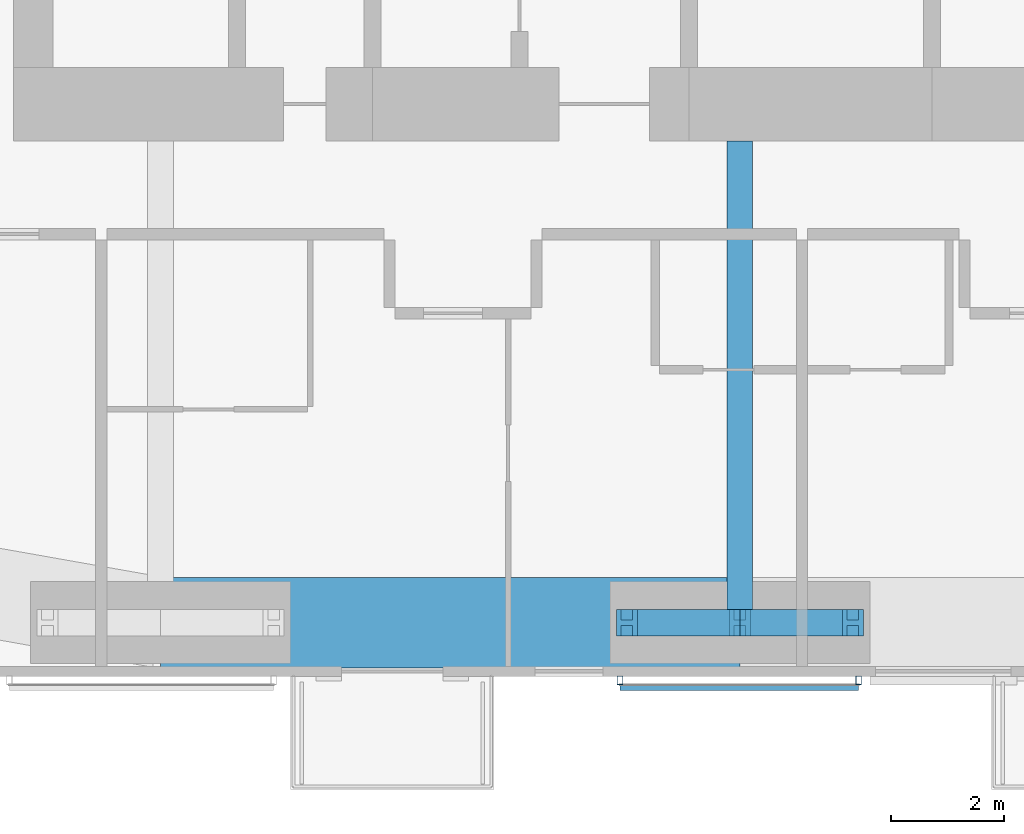
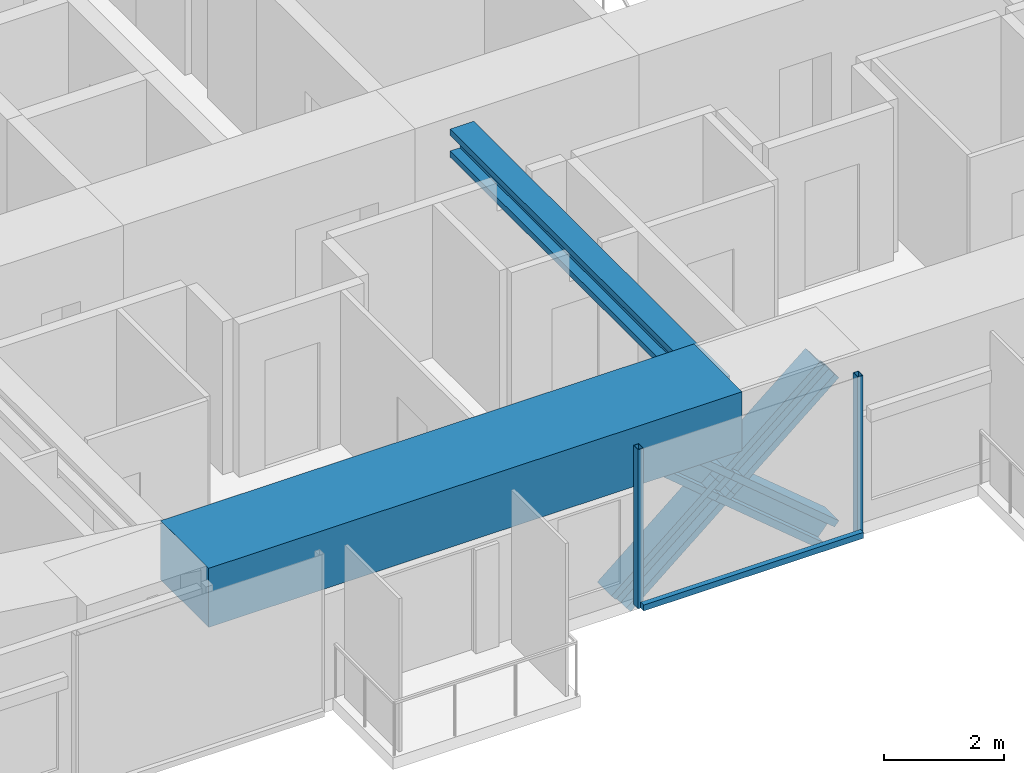
# One storey, part 3 of 23: 7 members, 2 beams, 1 element without a shape of its own.
"""IFC4 building model written with IfcOpenShell, lengths in metres."""

from ifc_helpers import new_model, si_unit, direction, frame, origin, origin_2d, place, context, subcontext, project, spatial, rectangle, hollow_rectangle, i_section, extrude, material, material_profile, profile_set, type_object, element, aggregate, save


model = new_model("IFC4")

# Units and contexts
model_context = context("Model", 3, precision=1e-05, world=origin(), true_north=direction((0.0, 1.0)))
body_context = subcontext(model_context, "Body", "Model", "MODEL_VIEW")
ifc_project = project(units=[si_unit("LENGTHUNIT", "METRE"), si_unit("AREAUNIT", "SQUARE_METRE"), si_unit("VOLUMEUNIT", "CUBIC_METRE"), si_unit("PLANEANGLEUNIT", "RADIAN"), si_unit("MASSUNIT", "GRAM", prefix="KILO")], contexts=[model_context])

# Site, building, storey
site_placement = place(None, origin())
site = spatial("IfcSite", under=ifc_project, at=site_placement, CompositionType="ELEMENT")
building_placement = place(site_placement, origin())
building = spatial("IfcBuilding", under=site, at=building_placement, Name="Jalousie Tower", CompositionType="ELEMENT")
storey_placement = place(building_placement, frame((0.0, 0.0, 167.75)))
storey = spatial("IfcBuildingStorey", under=building, at=storey_placement, Name="L45", CompositionType="ELEMENT", Elevation=167.75)

# Beam
ifc_material_1 = material(Name="Steel ASTM A992 Grade 50", Category="steel")
ifc_material_profile_1 = material_profile(ifc_material_1, i_section(OverallWidth=0.45458984375, OverallDepth=0.569091796875, WebThickness=0.077880859375, FlangeThickness=0.124755859375, at=origin_2d()), Name="W14X730")
ifc_profile_set_1 = profile_set([ifc_material_profile_1], Name="Steel ASTM A992 Grade 50")
beam_type_1 = type_object("IfcBeamType", Name="LEAN COLLECTOR W14X730", PredefinedType="BEAM", material=ifc_profile_set_1)
beam_1_placement = place(storey_placement, frame((32.5, 0.949951171875, 2.825439453125), z_axis=(0.0, 1.0, 0.0), x_axis=(-1.0, 0.0, 0.0)))
element("IfcBeam", 1, at=beam_1_placement, inside=storey, type_object=beam_type_1, Name="Lean collector under L46", PredefinedType="BEAM", context=body_context, shape_type="SweptSolid", body=[
    extrude(i_section(OverallWidth=0.45458984375, OverallDepth=0.569091796875, WebThickness=0.077880859375, FlangeThickness=0.124755859375, at=origin_2d()), origin(), (0.0, 0.0, 1.0), 8.525146484375),
])

# Members
ifc_material_2 = material(Name="Steel ASTM A992 Grade 50", Category="steel")
ifc_material_profile_2 = material_profile(ifc_material_2, i_section(OverallWidth=0.472412109375, OverallDepth=0.5791015625, WebThickness=0.094970703125, FlangeThickness=0.1298828125, at=origin_2d()), Name="W14X808")
ifc_profile_set_2 = profile_set([ifc_material_profile_2], Name="Steel ASTM A992 Grade 50")
member_type_1 = type_object("IfcMemberType", Name="PERIMETER BRACE W14X808", PredefinedType="BRACE", material=ifc_profile_set_2)
for number, where, z_axis, x_axis, name in (
    (2, (30.5, 0.949951171875, -0.60009765625), (0.766638753323, 0.0, 0.642078672674), (0.0, 1.0, 0.0), "Perimeter brace 03 L45 part 1"),
    (3, (32.5, 0.949951171875, 1.074951171875), (0.766638753323, 0.0, 0.642078672674), (0.0, 1.0, 0.0), "Perimeter brace 03 L45 part 2"),
    (4, (34.5, 0.949951171875, -0.60009765625), (-0.766638753323, 0.0, 0.642078672674), (0.0, -1.0, 0.0), "Perimeter brace 03 L45 part 3"),
    (5, (32.5, 0.949951171875, 1.074951171875), (-0.766638753323, 0.0, 0.642078672674), (0.0, -1.0, 0.0), "Perimeter brace 03 L45 part 4"),
):
    element("IfcMember", number, at=place(storey_placement, frame(where, z_axis=z_axis, x_axis=x_axis)), inside=storey, type_object=member_type_1, Name=name, PredefinedType="BRACE", context=body_context, shape_type="SweptSolid", body=[
        extrude(i_section(OverallWidth=0.472412109375, OverallDepth=0.5791015625, WebThickness=0.094970703125, FlangeThickness=0.1298828125, at=origin_2d()), origin(), (0.0, 0.0, 1.0), 2.60888671875),
    ])

# Beam
ifc_material_3 = material(Name="Concrete f'c 40 MPa", Category="concrete")
ifc_material_profile_3 = material_profile(ifc_material_3, rectangle(XDim=1.60009765625, YDim=1.199951171875, at=origin_2d()), Name="RC 1600x1200")
ifc_profile_set_3 = profile_set([ifc_material_profile_3], Name="Concrete f'c 40 MPa")
beam_type_2 = type_object("IfcBeamType", Name="RC BEAM 1600x1200", PredefinedType="BEAM", material=ifc_profile_set_3)
beam_2_placement = place(storey_placement, frame((22.25, 0.949951171875, 2.75), z_axis=(1.0, 0.0, 0.0), x_axis=(0.0, 1.0, 0.0)))
element("IfcBeam", 6, at=beam_2_placement, inside=storey, type_object=beam_type_2, Name="Edge band beam 02-03 under L46", PredefinedType="BEAM", context=body_context, shape_type="SweptSolid", body=[
    extrude(rectangle(XDim=1.60009765625, YDim=1.199951171875, at=origin_2d()), origin(), (0.0, 0.0, 1.0), 10.25),
])

# Curtain wall, members
ifc_material_4 = material(Name="Perforated aluminium sheet", Category="aluminium")
curtain_wall_type = type_object("IfcCurtainWallType", Name="SOLAR SCREEN SS-1", PredefinedType="USERDEFINED", material=ifc_material_4)
curtain_wall_placement = place(storey_placement, origin())
curtain_wall = element("IfcCurtainWall", 7, at=curtain_wall_placement, inside=storey, type_object=curtain_wall_type, Name="Solar screen L45", ObjectType="SOLAR SCREEN SS-1", PredefinedType="USERDEFINED")
ifc_material_5 = material(Name="Steel ASTM A500 Grade C", Category="steel")
ifc_material_profile_4 = material_profile(ifc_material_5, hollow_rectangle(XDim=0.1015625, YDim=0.15234375, WallThickness=0.00634765625, at=origin_2d()), Name="HSS6X4X1/4")
ifc_profile_set_4 = profile_set([ifc_material_profile_4], Name="Steel ASTM A500 Grade C")
member_type_2 = type_object("IfcMemberType", Name="SOLAR SCREEN SS-1 MULLION", PredefinedType="MULLION", material=ifc_profile_set_4)
member_1_placement = place(storey_placement, frame((30.37890625, -0.0712890625, -0.1201171875), z_axis=(0.0, 0.0, 1.0), x_axis=(1.0, 0.0, 0.0)))
member_1 = element("IfcMember", 8, at=member_1_placement, type_object=member_type_2, Name="SS1 post 1", PredefinedType="MULLION", context=body_context, shape_type="SweptSolid", body=[
    extrude(hollow_rectangle(XDim=0.1015625, YDim=0.15234375, WallThickness=0.00634765625, at=origin_2d()), origin(), (0.0, 0.0, 1.0), 3.230224609375),
])
member_2_placement = place(storey_placement, frame((34.60009765625, -0.0712890625, -0.1201171875), z_axis=(0.0, 0.0, 1.0), x_axis=(1.0, 0.0, 0.0)))
member_2 = element("IfcMember", 9, at=member_2_placement, type_object=member_type_2, Name="SS1 post 2", PredefinedType="MULLION", context=body_context, shape_type="SweptSolid", body=[
    extrude(hollow_rectangle(XDim=0.1015625, YDim=0.15234375, WallThickness=0.00634765625, at=origin_2d()), origin(), (0.0, 0.0, 1.0), 3.230224609375),
])
ifc_material_6 = material(Name="Extruded aluminium screen rail", Category="aluminium")
ifc_material_profile_5 = material_profile(ifc_material_6, rectangle(XDim=0.1015625, YDim=0.1201171875, at=origin_2d()), Name="RAIL 102x120")
ifc_profile_set_5 = profile_set([ifc_material_profile_5], Name="Extruded aluminium screen rail")
member_type_3 = type_object("IfcMemberType", Name="SOLAR SCREEN SS-1 TRANSOM", PredefinedType="USERDEFINED", material=ifc_profile_set_5)
member_3_placement = place(storey_placement, frame((30.37890625, -0.1982421875, -0.06005859375), z_axis=(1.0, 0.0, 0.0), x_axis=(0.0, 1.0, 0.0)))
member_3 = element("IfcMember", 10, at=member_3_placement, type_object=member_type_3, Name="SS1 rail", ObjectType="TRANSOM", PredefinedType="USERDEFINED", context=body_context, shape_type="SweptSolid", body=[
    extrude(rectangle(XDim=0.1015625, YDim=0.1201171875, at=origin_2d()), origin(), (0.0, 0.0, 1.0), 4.22119140625),
])
aggregate(curtain_wall, [member_1, member_2, member_3])

save(model, "model.ifc")
